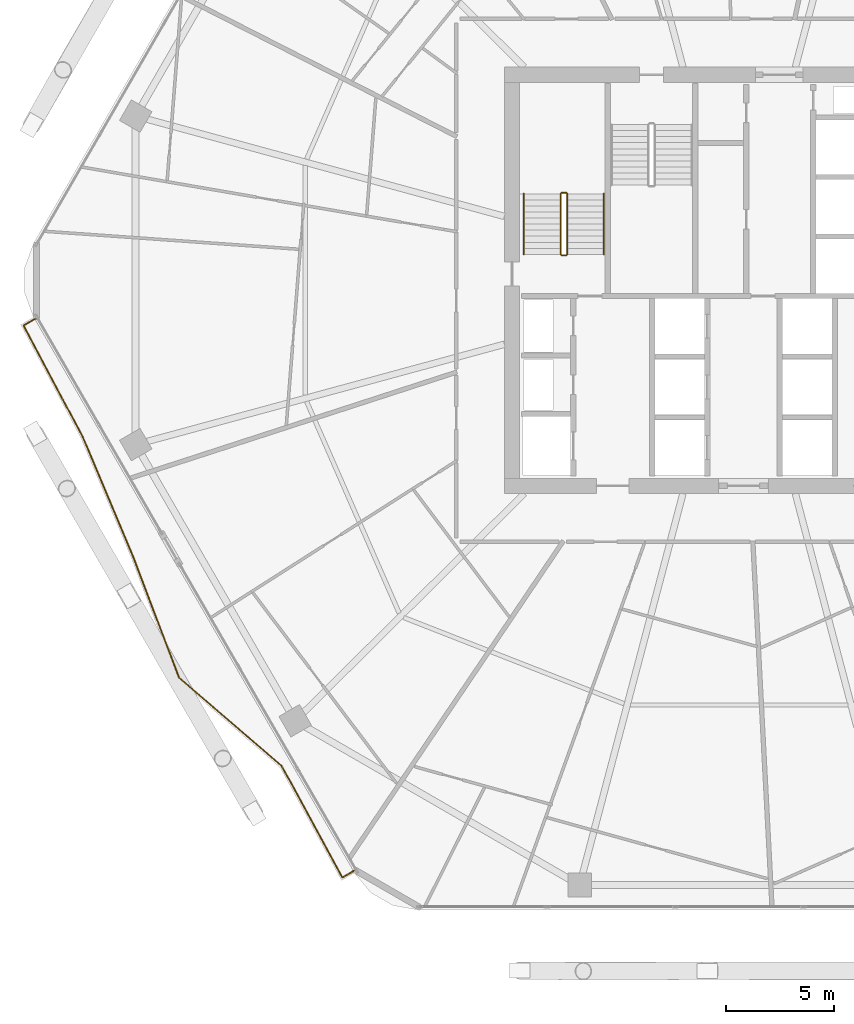
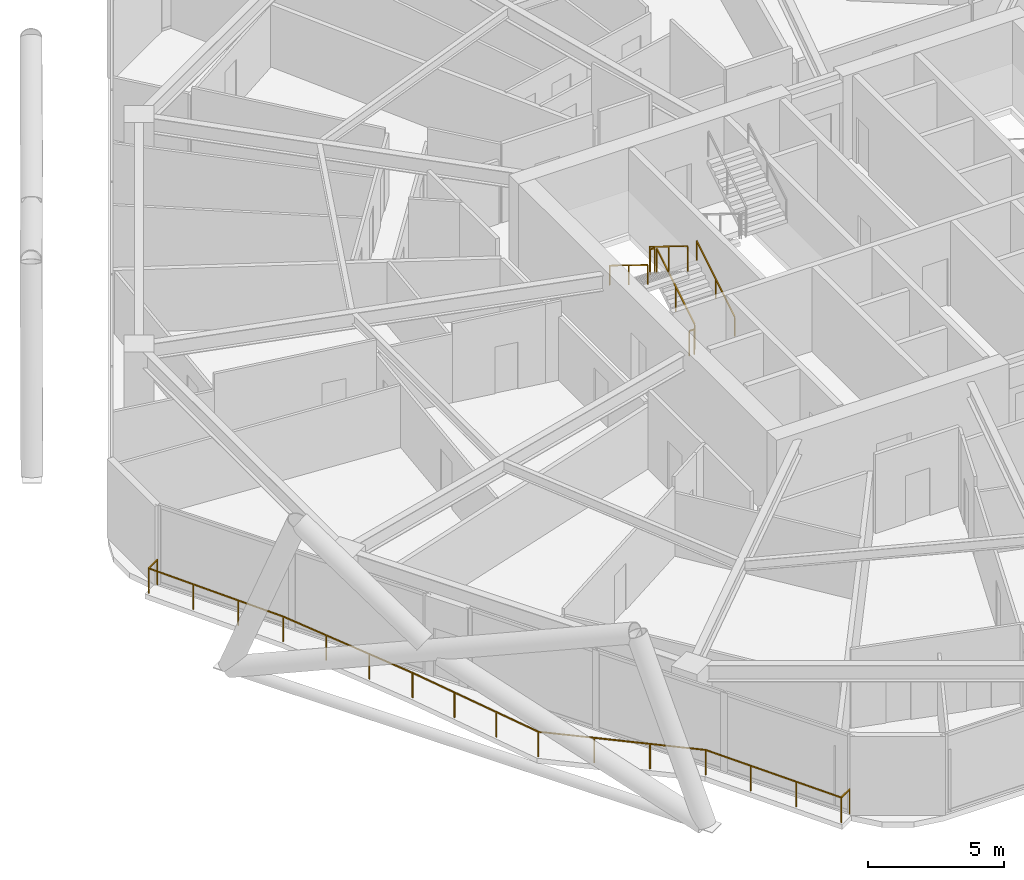
# One storey, part 33 of 35: 7 railings.
"""IFC4 building model written with IfcOpenShell, lengths in metres."""

from ifc_helpers import new_model, si_unit, direction, frame, origin, origin_2d, place, context, subcontext, project, spatial, rectangle, extrude, material, type_object, element, save


model = new_model("IFC4")

# Units and contexts
model_context = context("Model", 3, precision=1e-05, world=origin(), true_north=direction((0.0, 1.0)))
body_context = subcontext(model_context, "Body", "Model", "MODEL_VIEW")
ifc_project = project(units=[si_unit("LENGTHUNIT", "METRE"), si_unit("AREAUNIT", "SQUARE_METRE"), si_unit("VOLUMEUNIT", "CUBIC_METRE"), si_unit("PLANEANGLEUNIT", "RADIAN"), si_unit("MASSUNIT", "GRAM", prefix="KILO")], contexts=[model_context])

# Site, building, storey
site_placement = place(None, origin())
site = spatial("IfcSite", under=ifc_project, at=site_placement, CompositionType="ELEMENT")
building_placement = place(site_placement, origin())
building = spatial("IfcBuilding", under=site, at=building_placement, Name="Zuhravey Tower", CompositionType="ELEMENT")
storey_placement = place(building_placement, frame((0.0, 0.0, 122.800048828125)))
storey = spatial("IfcBuildingStorey", under=building, at=storey_placement, Name="L30", CompositionType="ELEMENT", Elevation=122.800048828125)

# Railings
ifc_material_1 = material(Name="Stainless steel 316 and laminated glass", Category="steel")
railing_type_1 = type_object("IfcRailingType", Name="Balcony & Terrace Guardrail 1150", PredefinedType="BALUSTRADE", material=ifc_material_1)
railing_1_placement = place(storey_placement, frame((18.2119140625, 4.72314453125, 0.0)))
element("IfcRailing", 1, at=railing_1_placement, inside=storey, type_object=railing_type_1, Name="L30 Face 4 Wave Balcony Guardrail GR1", PredefinedType="BALUSTRADE", context=body_context, shape_type="SweptSolid", body=[
    extrude(rectangle(XDim=0.048095703125, YDim=0.048095703125, at=origin_2d()), frame((-0.001708984375, -0.0009765625, 1.1259765625), z_axis=(-0.865924053096, -0.500175503469, 0.0), x_axis=(0.500175503469, -0.865924053096, 0.0)), (0.0, 0.0, 1.0), 0.633544921875),
    extrude(rectangle(XDim=0.048095703125, YDim=0.048095703125, at=origin_2d()), frame((-0.552978515625, -0.317138671875, 1.1259765625), z_axis=(-0.477488803986, 0.878637833278, 0.0), x_axis=(-0.878637833278, -0.477488803986, 0.0)), (0.0, 0.0, 1.0), 5.84521484375),
    extrude(rectangle(XDim=0.048095703125, YDim=0.048095703125, at=origin_2d()), frame((-3.346435546875, 4.82177734375, 1.1259765625), z_axis=(-0.757636806075, 0.652676390014, 0.0), x_axis=(-0.652676390014, -0.757636806075, 0.0)), (0.0, 0.0, 1.0), 6.271728515625),
    extrude(rectangle(XDim=0.048095703125, YDim=0.048095703125, at=origin_2d()), frame((-8.100341796875, 8.91845703125, 1.1259765625), z_axis=(-0.354826374343, 0.934932213623, 0.0), x_axis=(-0.934932213623, -0.354826374343, 0.0)), (0.0, 0.0, 1.0), 5.9814453125),
    extrude(rectangle(XDim=0.048095703125, YDim=0.048095703125, at=origin_2d()), frame((-10.22412109375, 14.514404296875, 1.1259765625), z_axis=(-0.387721394518, 0.921776610808, 0.0), x_axis=(-0.921776610808, -0.387721394518, 0.0)), (0.0, 0.0, 1.0), 5.98046875),
    extrude(rectangle(XDim=0.048095703125, YDim=0.048095703125, at=origin_2d()), frame((-12.544677734375, 20.030517578125, 1.1259765625), z_axis=(-0.469271312141, 0.883054038891, 0.0), x_axis=(-0.883054038891, -0.469271312141, 0.0)), (0.0, 0.0, 1.0), 5.8388671875),
    extrude(rectangle(XDim=0.048095703125, YDim=0.048095703125, at=origin_2d()), frame((-15.283935546875, 25.189453125, 1.1259765625), z_axis=(0.865945423257, 0.500138504756, 0.0), x_axis=(-0.500138504756, 0.865945423257, 0.0)), (0.0, 0.0, 1.0), 0.639404296875),
    extrude(rectangle(XDim=0.0419921875, YDim=0.0419921875, at=origin_2d()), origin(), (0.0, 0.0, 1.0), 1.099853515625),
    extrude(rectangle(XDim=0.0419921875, YDim=0.0419921875, at=origin_2d()), frame((-0.552001953125, -0.31884765625, 0.0)), (0.0, 0.0, 1.0), 1.099853515625),
    extrude(rectangle(XDim=0.0419921875, YDim=0.0419921875, at=origin_2d()), frame((-1.48291015625, 1.394287109375, 0.0)), (0.0, 0.0, 1.0), 1.099853515625),
    extrude(rectangle(XDim=0.0419921875, YDim=0.0419921875, at=origin_2d()), frame((-2.4140625, 3.107421875, 0.0)), (0.0, 0.0, 1.0), 1.099853515625),
    extrude(rectangle(XDim=0.0419921875, YDim=0.0419921875, at=origin_2d()), frame((-3.344970703125, 4.820556640625, 0.0)), (0.0, 0.0, 1.0), 1.099853515625),
    extrude(rectangle(XDim=0.0419921875, YDim=0.0419921875, at=origin_2d()), frame((-4.929931640625, 6.185791015625, 0.0)), (0.0, 0.0, 1.0), 1.099853515625),
    extrude(rectangle(XDim=0.0419921875, YDim=0.0419921875, at=origin_2d()), frame((-6.5146484375, 7.55126953125, 0.0)), (0.0, 0.0, 1.0), 1.099853515625),
    extrude(rectangle(XDim=0.0419921875, YDim=0.0419921875, at=origin_2d()), frame((-8.099609375, 8.91650390625, 0.0)), (0.0, 0.0, 1.0), 1.099853515625),
    extrude(rectangle(XDim=0.0419921875, YDim=0.0419921875, at=origin_2d()), frame((-8.8076171875, 10.78173828125, 0.0)), (0.0, 0.0, 1.0), 1.099853515625),
    extrude(rectangle(XDim=0.0419921875, YDim=0.0419921875, at=origin_2d()), frame((-9.515380859375, 12.647216796875, 0.0)), (0.0, 0.0, 1.0), 1.099853515625),
    extrude(rectangle(XDim=0.0419921875, YDim=0.0419921875, at=origin_2d()), frame((-10.223388671875, 14.512451171875, 0.0)), (0.0, 0.0, 1.0), 1.099853515625),
    extrude(rectangle(XDim=0.0419921875, YDim=0.0419921875, at=origin_2d()), frame((-10.996826171875, 16.351318359375, 0.0)), (0.0, 0.0, 1.0), 1.099853515625),
    extrude(rectangle(XDim=0.0419921875, YDim=0.0419921875, at=origin_2d()), frame((-11.770263671875, 18.18994140625, 0.0)), (0.0, 0.0, 1.0), 1.099853515625),
    extrude(rectangle(XDim=0.0419921875, YDim=0.0419921875, at=origin_2d()), frame((-12.543701171875, 20.02880859375, 0.0)), (0.0, 0.0, 1.0), 1.099853515625),
    extrude(rectangle(XDim=0.0419921875, YDim=0.0419921875, at=origin_2d()), frame((-13.457763671875, 21.748779296875, 0.0)), (0.0, 0.0, 1.0), 1.099853515625),
    extrude(rectangle(XDim=0.0419921875, YDim=0.0419921875, at=origin_2d()), frame((-14.37158203125, 23.468505859375, 0.0)), (0.0, 0.0, 1.0), 1.099853515625),
    extrude(rectangle(XDim=0.0419921875, YDim=0.0419921875, at=origin_2d()), frame((-15.28564453125, 25.1884765625, 0.0)), (0.0, 0.0, 1.0), 1.099853515625),
    extrude(rectangle(XDim=0.0419921875, YDim=0.0419921875, at=origin_2d()), frame((-14.728515625, 25.51025390625, 0.0)), (0.0, 0.0, 1.0), 1.099853515625),
])
ifc_material_2 = material(Name="Brushed stainless steel", Category="steel")
railing_type_2 = type_object("IfcRailingType", Name="Stair Wall Handrail 900", PredefinedType="HANDRAIL", material=ifc_material_2)
railing_2_placement = place(storey_placement, frame((29.75, 33.199951171875, 0.172607421875)))
element("IfcRailing", 2, at=railing_2_placement, inside=storey, type_object=railing_type_2, Name="L30 ST1 stair handrail 1", PredefinedType="HANDRAIL", context=body_context, shape_type="SweptSolid", body=[
    extrude(rectangle(XDim=0.048095703125, YDim=0.048095703125, at=origin_2d()), frame((0.0, 0.001708984375, 0.876953125), z_axis=(0.0, 0.851089632645, 0.525020415988), x_axis=(-1.0, 0.0, 0.0)), (0.0, 0.0, 1.0), 3.285888671875),
    extrude(rectangle(XDim=0.0419921875, YDim=0.0419921875, at=origin_2d()), origin(), (0.0, 0.0, 1.0), 0.849853515625),
    extrude(rectangle(XDim=0.0419921875, YDim=0.0419921875, at=origin_2d()), frame((0.0, 1.39990234375, 0.86376953125)), (0.0, 0.0, 1.0), 0.849853515625),
    extrude(rectangle(XDim=0.0419921875, YDim=0.0419921875, at=origin_2d()), frame((0.0, 2.800048828125, 1.727294921875)), (0.0, 0.0, 1.0), 0.849853515625),
])
railing_3_placement = place(storey_placement, frame((26.050048828125, 36.0, 2.07275390625)))
element("IfcRailing", 3, at=railing_3_placement, inside=storey, type_object=railing_type_2, Name="L30 ST1 stair handrail 2", PredefinedType="HANDRAIL", context=body_context, shape_type="SweptSolid", body=[
    extrude(rectangle(XDim=0.048095703125, YDim=0.048095703125, at=origin_2d()), frame((0.0, -0.001708984375, 0.876953125), z_axis=(0.0, -0.851089632645, 0.525020415988), x_axis=(1.0, 0.0, 0.0)), (0.0, 0.0, 1.0), 3.285888671875),
    extrude(rectangle(XDim=0.0419921875, YDim=0.0419921875, at=origin_2d()), origin(), (0.0, 0.0, 1.0), 0.849853515625),
    extrude(rectangle(XDim=0.0419921875, YDim=0.0419921875, at=origin_2d()), frame((0.0, -1.39990234375, 0.86376953125)), (0.0, 0.0, 1.0), 0.849853515625),
    extrude(rectangle(XDim=0.0419921875, YDim=0.0419921875, at=origin_2d()), frame((0.0, -2.800048828125, 1.727294921875)), (0.0, 0.0, 1.0), 0.849853515625),
])
ifc_material_3 = material(Name="Painted tubular steel", Category="steel")
railing_type_3 = type_object("IfcRailingType", Name="Stair Well Guardrail 1150", PredefinedType="GUARDRAIL", material=ifc_material_3)
railing_4_placement = place(storey_placement, frame((28.050048828125, 33.199951171875, 0.172607421875)))
element("IfcRailing", 4, at=railing_4_placement, inside=storey, type_object=railing_type_3, Name="L30 ST1 stair guard 1", PredefinedType="GUARDRAIL", context=body_context, shape_type="SweptSolid", body=[
    extrude(rectangle(XDim=0.048095703125, YDim=0.048095703125, at=origin_2d()), frame((0.0, 0.001708984375, 1.126953125), z_axis=(0.0, 0.851089632645, 0.525020415988), x_axis=(-1.0, 0.0, 0.0)), (0.0, 0.0, 1.0), 3.285888671875),
    extrude(rectangle(XDim=0.0419921875, YDim=0.0419921875, at=origin_2d()), origin(), (0.0, 0.0, 1.0), 1.099853515625),
    extrude(rectangle(XDim=0.0419921875, YDim=0.0419921875, at=origin_2d()), frame((0.0, 1.39990234375, 0.86376953125)), (0.0, 0.0, 1.0), 1.099853515625),
    extrude(rectangle(XDim=0.0419921875, YDim=0.0419921875, at=origin_2d()), frame((0.0, 2.800048828125, 1.727294921875)), (0.0, 0.0, 1.0), 1.099853515625),
])
railing_5_placement = place(storey_placement, frame((28.0, 36.050048828125, 1.89990234375)))
element("IfcRailing", 5, at=railing_5_placement, inside=storey, type_object=railing_type_3, Name="L30 ST1 stair guard 2", PredefinedType="GUARDRAIL", context=body_context, shape_type="SweptSolid", body=[
    extrude(rectangle(XDim=0.048095703125, YDim=0.048095703125, at=origin_2d()), frame((-0.001953125, 0.0, 1.1259765625), z_axis=(-1.0, 0.0, 0.0), x_axis=(0.0, -1.0, 0.0)), (0.0, 0.0, 1.0), 0.196044921875),
    extrude(rectangle(XDim=0.0419921875, YDim=0.0419921875, at=origin_2d()), origin(), (0.0, 0.0, 1.0), 1.099853515625),
    extrude(rectangle(XDim=0.0419921875, YDim=0.0419921875, at=origin_2d()), frame((-0.199951171875, 0.0, 0.0)), (0.0, 0.0, 1.0), 1.099853515625),
])
railing_6_placement = place(storey_placement, frame((27.75, 36.0, 2.07275390625)))
element("IfcRailing", 6, at=railing_6_placement, inside=storey, type_object=railing_type_3, Name="L30 ST1 stair guard 3", PredefinedType="GUARDRAIL", context=body_context, shape_type="SweptSolid", body=[
    extrude(rectangle(XDim=0.048095703125, YDim=0.048095703125, at=origin_2d()), frame((0.0, -0.001708984375, 1.126953125), z_axis=(0.0, -0.851089632645, 0.525020415988), x_axis=(1.0, 0.0, 0.0)), (0.0, 0.0, 1.0), 3.285888671875),
    extrude(rectangle(XDim=0.0419921875, YDim=0.0419921875, at=origin_2d()), origin(), (0.0, 0.0, 1.0), 1.099853515625),
    extrude(rectangle(XDim=0.0419921875, YDim=0.0419921875, at=origin_2d()), frame((0.0, -1.39990234375, 0.86376953125)), (0.0, 0.0, 1.0), 1.099853515625),
    extrude(rectangle(XDim=0.0419921875, YDim=0.0419921875, at=origin_2d()), frame((0.0, -2.800048828125, 1.727294921875)), (0.0, 0.0, 1.0), 1.099853515625),
])
railing_7_placement = place(storey_placement, frame((28.0, 33.14990234375, 0.0)))
element("IfcRailing", 7, at=railing_7_placement, inside=storey, type_object=railing_type_3, Name="L30 ST1 stair guard 4", PredefinedType="GUARDRAIL", context=body_context, shape_type="SweptSolid", body=[
    extrude(rectangle(XDim=0.048095703125, YDim=0.048095703125, at=origin_2d()), frame((-0.001953125, 0.0, 1.1259765625), z_axis=(-1.0, 0.0, 0.0), x_axis=(0.0, -1.0, 0.0)), (0.0, 0.0, 1.0), 0.196044921875),
    extrude(rectangle(XDim=0.0419921875, YDim=0.0419921875, at=origin_2d()), origin(), (0.0, 0.0, 1.0), 1.099853515625),
    extrude(rectangle(XDim=0.0419921875, YDim=0.0419921875, at=origin_2d()), frame((-0.199951171875, 0.0, 0.0)), (0.0, 0.0, 1.0), 1.099853515625),
])

save(model, "model.ifc")
